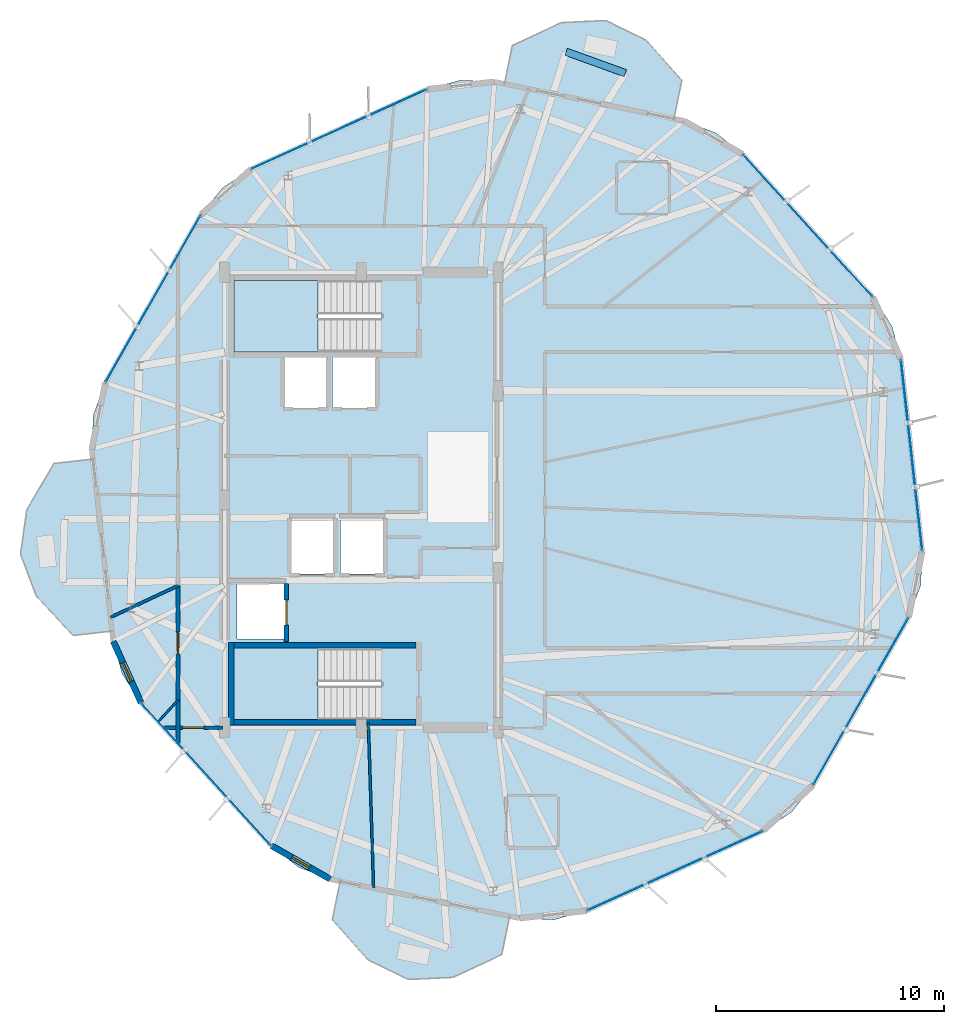
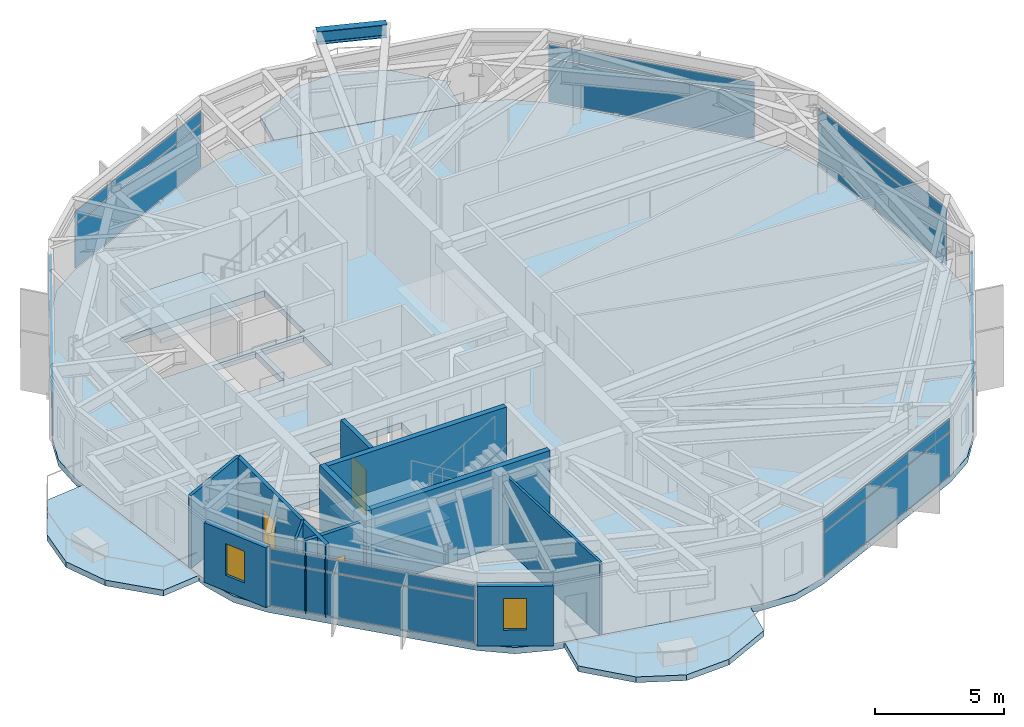
# One storey, part 16 of 23: 14 plates, 12 walls, 6 slabs, 3 doors, 2 windows, 1 beam, 5 openings, 9 elements without a shape of their own.
"""IFC4 building model written with IfcOpenShell, lengths in metres."""

from ifc_helpers import new_model, si_unit, direction, frame, frame_2d, origin, origin_2d, place, context, subcontext, project, spatial, polyline, rectangle, i_section, outline, extrude, material, layer, layer_set, material_profile, profile_set, type_object, element, fill, aggregate, save


model = new_model("IFC4")

# Units and contexts
model_context = context("Model", 3, precision=1e-05, world=origin(), true_north=direction((0.0, 1.0)))
body_context = subcontext(model_context, "Body", "Model", "MODEL_VIEW")
ifc_project = project(units=[si_unit("LENGTHUNIT", "METRE"), si_unit("AREAUNIT", "SQUARE_METRE"), si_unit("VOLUMEUNIT", "CUBIC_METRE"), si_unit("PLANEANGLEUNIT", "RADIAN"), si_unit("MASSUNIT", "GRAM", prefix="KILO")], contexts=[model_context])

# Site, building, storey
site_placement = place(None, origin())
site = spatial("IfcSite", under=ifc_project, at=site_placement, CompositionType="ELEMENT")
building_placement = place(site_placement, origin())
building = spatial("IfcBuilding", under=site, at=building_placement, Name="Soratama Intermodal Tower", CompositionType="ELEMENT")
storey_placement = place(building_placement, frame((0.0, 0.0, 257.5)))
storey = spatial("IfcBuildingStorey", under=building, at=storey_placement, Name="L65", CompositionType="ELEMENT", Elevation=257.5)

# Beam
ifc_material_1 = material(Name="Structural steel ASTM A992 Grade 50", Category="steel")
ifc_material_profile = material_profile(ifc_material_1, i_section(OverallWidth=0.324951171875, OverallDepth=0.615966796875, WebThickness=0.013916015625, FlangeThickness=0.021484375, FilletRadius=0.013916015625, at=origin_2d()), Name="W24X117")
ifc_profile_set = profile_set([ifc_material_profile], Name="Structural steel ASTM A992 Grade 50")
beam_type = type_object("IfcBeamType", Name="BM-CANT-W24X117", PredefinedType="BEAM", material=ifc_profile_set)
beam_placement = place(storey_placement, frame((50.196044921875, 43.7451171875, 3.14208984375), z_axis=(-0.940364211655, 0.340169295262, 0.0), x_axis=(-0.340169295262, -0.940364211655, 0.0)))
element("IfcBeam", 1, at=beam_placement, inside=storey, type_object=beam_type, Name="BM-L65-CBHDR-1", PredefinedType="BEAM", context=body_context, shape_type="SweptSolid", body=[
    extrude(i_section(OverallWidth=0.324951171875, OverallDepth=0.615966796875, WebThickness=0.013916015625, FlangeThickness=0.021484375, FilletRadius=0.013916015625, at=origin_2d()), origin(), (0.0, 0.0, 1.0), 2.76611328125),
])

# Curtain wall, plates
ifc_material_2 = material(Name="Double-glazed aluminium curtain wall", Category="aluminium")
ifc_layer_1 = layer(ifc_material_2, 0.159912109375)
ifc_layer_set_1 = layer_set([ifc_layer_1], Name="Double-glazed aluminium curtain wall")
curtain_wall_type = type_object("IfcCurtainWallType", Name="CW-SYS-5", PredefinedType="NOTDEFINED", material=ifc_layer_set_1)
curtain_wall_1_placement = place(storey_placement, origin())
curtain_wall_1 = element("IfcCurtainWall", 2, at=curtain_wall_1_placement, inside=storey, type_object=curtain_wall_type, Name="L65 Faceted Curtain Wall F02", PredefinedType="NOTDEFINED")
ifc_material_3 = material(Name="Low-E laminated double glazing", Category="glass")
ifc_layer_2 = layer(ifc_material_3, 0.02001953125)
ifc_layer_set_2 = layer_set([ifc_layer_2], Name="Low-E laminated double glazing")
plate_type = type_object("IfcPlateType", Name="PT-CWP-5", PredefinedType="CURTAIN_PANEL", material=ifc_layer_set_2)
plate_1_placement = place(storey_placement, frame((37.625244140625, 41.2880859375, 0.06005859375), z_axis=(0.0, 0.0, 1.0), x_axis=(-0.910972280346, -0.412467579868, 0.0)))
plate_1 = element("IfcPlate", 3, at=plate_1_placement, type_object=plate_type, Name="CW-5 panel 1.1", PredefinedType="CURTAIN_PANEL", context=body_context, shape_type="SweptSolid", body=[
    extrude(rectangle(XDim=8.3798828125, YDim=0.028076171875, at=origin_2d()), origin(), (0.0, 0.0, 1.0), 2.06005859375),
])
plate_2_placement = place(storey_placement, frame((37.625244140625, 41.2880859375, 2.18017578125), z_axis=(0.0, 0.0, 1.0), x_axis=(-0.910972280346, -0.412467579868, 0.0)))
plate_2 = element("IfcPlate", 4, at=plate_2_placement, type_object=plate_type, Name="CW-5 panel 1.2", PredefinedType="CURTAIN_PANEL", context=body_context, shape_type="SweptSolid", body=[
    extrude(rectangle(XDim=8.3798828125, YDim=0.028076171875, at=origin_2d()), origin(), (0.0, 0.0, 1.0), 0.589111328125),
])
aggregate(curtain_wall_1, [plate_1, plate_2])

curtain_wall_2_placement = place(storey_placement, origin())
curtain_wall_2 = element("IfcCurtainWall", 5, at=curtain_wall_2_placement, inside=storey, type_object=curtain_wall_type, Name="L65 Faceted Curtain Wall F03", PredefinedType="NOTDEFINED")
plate_3_placement = place(storey_placement, frame((29.459716796875, 33.842529296875, 0.06005859375), z_axis=(0.0, 0.0, 1.0), x_axis=(-0.494551831803, -0.869148137926, 0.0)))
plate_3 = element("IfcPlate", 6, at=plate_3_placement, type_object=plate_type, Name="CW-5 panel 1.1", PredefinedType="CURTAIN_PANEL", context=body_context, shape_type="SweptSolid", body=[
    extrude(rectangle(XDim=8.3798828125, YDim=0.028076171875, at=origin_2d()), origin(), (0.0, 0.0, 1.0), 2.06005859375),
])
plate_4_placement = place(storey_placement, frame((29.459716796875, 33.842529296875, 2.18017578125), z_axis=(0.0, 0.0, 1.0), x_axis=(-0.494551831803, -0.869148137926, 0.0)))
plate_4 = element("IfcPlate", 7, at=plate_4_placement, type_object=plate_type, Name="CW-5 panel 1.2", PredefinedType="CURTAIN_PANEL", context=body_context, shape_type="SweptSolid", body=[
    extrude(rectangle(XDim=8.3798828125, YDim=0.028076171875, at=origin_2d()), origin(), (0.0, 0.0, 1.0), 0.589111328125),
])
aggregate(curtain_wall_2, [plate_3, plate_4])

curtain_wall_3_placement = place(storey_placement, origin())
curtain_wall_3 = element("IfcCurtainWall", 8, at=curtain_wall_3_placement, inside=storey, type_object=curtain_wall_type, Name="L65 Faceted Curtain Wall F05", PredefinedType="NOTDEFINED")
plate_5_placement = place(storey_placement, frame((31.7880859375, 12.952880859375, 0.06005859375), z_axis=(0.0, 0.0, 1.0), x_axis=(0.673778798783, -0.73893310273, 0.0)))
plate_5 = element("IfcPlate", 9, at=plate_5_placement, type_object=plate_type, Name="CW-5 panel 1.1", PredefinedType="CURTAIN_PANEL", context=body_context, shape_type="SweptSolid", body=[
    extrude(rectangle(XDim=8.3798828125, YDim=0.028076171875, at=origin_2d()), origin(), (0.0, 0.0, 1.0), 2.06005859375),
])
plate_6_placement = place(storey_placement, frame((31.7880859375, 12.952880859375, 2.18017578125), z_axis=(0.0, 0.0, 1.0), x_axis=(0.673778798783, -0.73893310273, 0.0)))
plate_6 = element("IfcPlate", 10, at=plate_6_placement, type_object=plate_type, Name="CW-5 panel 1.2", PredefinedType="CURTAIN_PANEL", context=body_context, shape_type="SweptSolid", body=[
    extrude(rectangle(XDim=8.3798828125, YDim=0.028076171875, at=origin_2d()), origin(), (0.0, 0.0, 1.0), 0.589111328125),
])
aggregate(curtain_wall_3, [plate_5, plate_6])

curtain_wall_4_placement = place(storey_placement, origin())
curtain_wall_4 = element("IfcCurtainWall", 11, at=curtain_wall_4_placement, inside=storey, type_object=curtain_wall_type, Name="L65 Faceted Curtain Wall F07", PredefinedType="NOTDEFINED")
plate_7_placement = place(storey_placement, frame((52.374755859375, 8.7119140625, 0.06005859375), z_axis=(0.0, 0.0, 1.0), x_axis=(0.910972280346, 0.412467579868, 0.0)))
plate_7 = element("IfcPlate", 12, at=plate_7_placement, type_object=plate_type, Name="CW-5 panel 1.1", PredefinedType="CURTAIN_PANEL", context=body_context, shape_type="SweptSolid", body=[
    extrude(rectangle(XDim=8.3798828125, YDim=0.028076171875, at=origin_2d()), origin(), (0.0, 0.0, 1.0), 2.06005859375),
])
plate_8_placement = place(storey_placement, frame((52.374755859375, 8.7119140625, 2.18017578125), z_axis=(0.0, 0.0, 1.0), x_axis=(0.910972280346, 0.412467579868, 0.0)))
plate_8 = element("IfcPlate", 13, at=plate_8_placement, type_object=plate_type, Name="CW-5 panel 1.2", PredefinedType="CURTAIN_PANEL", context=body_context, shape_type="SweptSolid", body=[
    extrude(rectangle(XDim=8.3798828125, YDim=0.028076171875, at=origin_2d()), origin(), (0.0, 0.0, 1.0), 0.589111328125),
])
aggregate(curtain_wall_4, [plate_7, plate_8])

curtain_wall_5_placement = place(storey_placement, origin())
curtain_wall_5 = element("IfcCurtainWall", 14, at=curtain_wall_5_placement, inside=storey, type_object=curtain_wall_type, Name="L65 Faceted Curtain Wall F08", PredefinedType="NOTDEFINED")
plate_9_placement = place(storey_placement, frame((60.540283203125, 16.157470703125, 0.06005859375), z_axis=(0.0, 0.0, 1.0), x_axis=(0.494551831803, 0.869148137926, 0.0)))
plate_9 = element("IfcPlate", 15, at=plate_9_placement, type_object=plate_type, Name="CW-5 panel 1.1", PredefinedType="CURTAIN_PANEL", context=body_context, shape_type="SweptSolid", body=[
    extrude(rectangle(XDim=8.3798828125, YDim=0.028076171875, at=origin_2d()), origin(), (0.0, 0.0, 1.0), 2.06005859375),
])
plate_10_placement = place(storey_placement, frame((60.540283203125, 16.157470703125, 2.18017578125), z_axis=(0.0, 0.0, 1.0), x_axis=(0.494551831803, 0.869148137926, 0.0)))
plate_10 = element("IfcPlate", 16, at=plate_10_placement, type_object=plate_type, Name="CW-5 panel 1.2", PredefinedType="CURTAIN_PANEL", context=body_context, shape_type="SweptSolid", body=[
    extrude(rectangle(XDim=8.3798828125, YDim=0.028076171875, at=origin_2d()), origin(), (0.0, 0.0, 1.0), 0.589111328125),
])
aggregate(curtain_wall_5, [plate_9, plate_10])

curtain_wall_6_placement = place(storey_placement, origin())
curtain_wall_6 = element("IfcCurtainWall", 17, at=curtain_wall_6_placement, inside=storey, type_object=curtain_wall_type, Name="L65 Faceted Curtain Wall F09", PredefinedType="NOTDEFINED")
plate_11_placement = place(storey_placement, frame((62.769775390625, 26.980712890625, 0.06005859375), z_axis=(0.0, 0.0, 1.0), x_axis=(-0.110778872636, 0.993845079163, 0.0)))
plate_11 = element("IfcPlate", 18, at=plate_11_placement, type_object=plate_type, Name="CW-5 panel 1.1", PredefinedType="CURTAIN_PANEL", context=body_context, shape_type="SweptSolid", body=[
    extrude(rectangle(XDim=8.3798828125, YDim=0.028076171875, at=origin_2d()), origin(), (0.0, 0.0, 1.0), 2.06005859375),
])
plate_12_placement = place(storey_placement, frame((62.769775390625, 26.980712890625, 2.18017578125), z_axis=(0.0, 0.0, 1.0), x_axis=(-0.110778872636, 0.993845079163, 0.0)))
plate_12 = element("IfcPlate", 19, at=plate_12_placement, type_object=plate_type, Name="CW-5 panel 1.2", PredefinedType="CURTAIN_PANEL", context=body_context, shape_type="SweptSolid", body=[
    extrude(rectangle(XDim=8.3798828125, YDim=0.028076171875, at=origin_2d()), origin(), (0.0, 0.0, 1.0), 0.589111328125),
])
aggregate(curtain_wall_6, [plate_11, plate_12])

curtain_wall_7_placement = place(storey_placement, origin())
curtain_wall_7 = element("IfcCurtainWall", 20, at=curtain_wall_7_placement, inside=storey, type_object=curtain_wall_type, Name="L65 Faceted Curtain Wall F10", PredefinedType="NOTDEFINED")
plate_13_placement = place(storey_placement, frame((58.2119140625, 37.047119140625, 0.06005859375), z_axis=(0.0, 0.0, 1.0), x_axis=(-0.673778798783, 0.73893310273, 0.0)))
plate_13 = element("IfcPlate", 21, at=plate_13_placement, type_object=plate_type, Name="CW-5 panel 1.1", PredefinedType="CURTAIN_PANEL", context=body_context, shape_type="SweptSolid", body=[
    extrude(rectangle(XDim=8.3798828125, YDim=0.028076171875, at=origin_2d()), origin(), (0.0, 0.0, 1.0), 2.06005859375),
])
plate_14_placement = place(storey_placement, frame((58.2119140625, 37.047119140625, 2.18017578125), z_axis=(0.0, 0.0, 1.0), x_axis=(-0.673778798783, 0.73893310273, 0.0)))
plate_14 = element("IfcPlate", 22, at=plate_14_placement, type_object=plate_type, Name="CW-5 panel 1.2", PredefinedType="CURTAIN_PANEL", context=body_context, shape_type="SweptSolid", body=[
    extrude(rectangle(XDim=8.3798828125, YDim=0.028076171875, at=origin_2d()), origin(), (0.0, 0.0, 1.0), 0.589111328125),
])
aggregate(curtain_wall_7, [plate_13, plate_14])

# Slabs
ifc_material_4 = material(Name="Concrete f'c 42 MPa", Category="concrete")
ifc_layer_3 = layer(ifc_material_4, 0.27001953125)
ifc_layer_set_3 = layer_set([ifc_layer_3], Name="Concrete f'c 42 MPa")
slab_type_1 = type_object("IfcSlabType", Name="SL-EXT-BAL1", PredefinedType="FLOOR", material=ifc_layer_set_3)
slab_1_placement = place(storey_placement, frame((0.0, 0.0, -0.27001953125)))
element("IfcSlab", 23, at=slab_1_placement, inside=storey, type_object=slab_type_1, Name="L65 Planted Balcony North 1", PredefinedType="FLOOR", context=body_context, shape_type="SweptSolid", body=[
    extrude(outline(polyline([(52.329345703125, 41.74560546875), (44.8857421875, 43.27880859375), (45.23291015625, 44.96337890625), (47.379150390625, 45.96630859375), (49.337890625, 46.0576171875), (51.100830078125, 45.199462890625), (52.67626953125, 43.43017578125), (52.329345703125, 41.74560546875)])), origin(), (0.0, 0.0, 1.0), 0.27001953125),
])
slab_2_placement = place(storey_placement, frame((0.0, 0.0, -0.27001953125)))
element("IfcSlab", 24, at=slab_2_placement, inside=storey, type_object=slab_type_1, Name="L65 Planted Balcony West 2", PredefinedType="FLOOR", context=body_context, shape_type="SweptSolid", body=[
    extrude(outline(polyline([(26.809326171875, 26.7958984375), (27.651123046875, 19.242919921875), (25.941650390625, 19.05224609375), (24.32470703125, 20.78369140625), (23.632568359375, 22.618408203125), (23.90380859375, 24.560302734375), (25.099853515625, 26.605224609375), (26.809326171875, 26.7958984375)])), origin(), (0.0, 0.0, 1.0), 0.27001953125),
])
slab_3_placement = place(storey_placement, frame((0.0, 0.0, -0.27001953125)))
element("IfcSlab", 25, at=slab_3_placement, inside=storey, type_object=slab_type_1, Name="L65 Planted Balcony South 3", PredefinedType="FLOOR", context=body_context, shape_type="SweptSolid", body=[
    extrude(outline(polyline([(37.670654296875, 8.25439453125), (45.1142578125, 6.72119140625), (44.76708984375, 5.03662109375), (42.620849609375, 4.03369140625), (40.662109375, 3.9423828125), (38.899169921875, 4.800537109375), (37.32373046875, 6.56982421875), (37.670654296875, 8.25439453125)])), origin(), (0.0, 0.0, 1.0), 0.27001953125),
])

# Stair, slab
ifc_material_5 = material(Name="Concrete f'c 42 MPa", Category="concrete")
stair_type = type_object("IfcStairType", Name="ST-CORE-DOGLEG", PredefinedType="HALF_TURN_STAIR", material=ifc_material_5)
stair_1_placement = place(storey_placement, origin())
stair_1 = element("IfcStair", 26, at=stair_1_placement, inside=storey, type_object=stair_type, Name="L65 ST-1", PredefinedType="HALF_TURN_STAIR")
ifc_material_6 = material(Name="Concrete f'c 42 MPa", Category="concrete")
ifc_layer_4 = layer(ifc_material_6, 0.219970703125)
ifc_layer_set_4 = layer_set([ifc_layer_4], Name="Concrete f'c 42 MPa")
slab_type_2 = type_object("IfcSlabType", Name="SL-STAIR-LAND", PredefinedType="LANDING", material=ifc_layer_set_4)
slab_4_placement = place(storey_placement, frame((0.0, 0.0, 1.675048828125)))
slab_4 = element("IfcSlab", 27, at=slab_4_placement, type_object=slab_type_2, Name="ST-1 landing 1", PredefinedType="LANDING", context=body_context, shape_type="SweptSolid", body=[
    extrude(outline(polyline([(36.699951171875, 18.5), (33.0, 18.5), (33.0, 15.35009765625), (36.699951171875, 15.35009765625), (36.699951171875, 18.5)])), origin(), (0.0, 0.0, 1.0), 0.199951171875),
])
aggregate(stair_1, [slab_4])

stair_2_placement = place(storey_placement, origin())
stair_2 = element("IfcStair", 28, at=stair_2_placement, inside=storey, type_object=stair_type, Name="L65 ST-2", PredefinedType="HALF_TURN_STAIR")
slab_5_placement = place(storey_placement, frame((0.0, 0.0, 1.675048828125)))
slab_5 = element("IfcSlab", 29, at=slab_5_placement, type_object=slab_type_2, Name="ST-2 landing 1", PredefinedType="LANDING", context=body_context, shape_type="SweptSolid", body=[
    extrude(outline(polyline([(36.699951171875, 34.64990234375), (33.0, 34.64990234375), (33.0, 31.5), (36.699951171875, 31.5), (36.699951171875, 34.64990234375)])), origin(), (0.0, 0.0, 1.0), 0.199951171875),
])
aggregate(stair_2, [slab_5])

# Slab
ifc_material_7 = material(Name="Concrete f'c 42 MPa", Category="concrete")
ifc_layer_5 = layer(ifc_material_7, 0.280029296875)
ifc_layer_set_5 = layer_set([ifc_layer_5], Name="Concrete f'c 42 MPa")
slab_type_3 = type_object("IfcSlabType", Name="SL-TWR-280", PredefinedType="FLOOR", material=ifc_layer_set_5)
slab_6_placement = place(storey_placement, frame((0.0, 0.0, -0.300048828125)))
element("IfcSlab", 30, at=slab_6_placement, inside=storey, type_object=slab_type_3, Name="L65 Structural Floor Slab", PredefinedType="FLOOR", context=body_context, shape_type="SweptSolid", body=[
    extrude(outline(polyline([(55.348388671875, 40.1875), (54.17529296875, 41.125244140625), (52.77001953125, 41.65478515625), (44.445068359375, 43.36962890625), (42.94482421875, 43.438720703125), (41.49658203125, 43.041015625), (33.753662109375, 39.53515625), (32.499267578125, 38.709228515625), (31.5615234375, 37.536376953125), (27.35791015625, 30.148681640625), (26.82861328125, 28.743408203125), (26.759521484375, 27.2431640625), (27.700927734375, 18.795654296875), (28.098876953125, 17.347412109375), (28.924560546875, 16.09326171875), (34.651611328125, 9.8125), (35.82470703125, 8.874755859375), (37.22998046875, 8.34521484375), (45.554931640625, 6.63037109375), (47.05517578125, 6.561279296875), (48.50341796875, 6.958984375), (56.246337890625, 10.46484375), (57.500732421875, 11.290771484375), (58.4384765625, 12.463623046875), (62.64208984375, 19.851318359375), (63.17138671875, 21.256591796875), (63.240478515625, 22.7568359375), (62.299072265625, 31.204345703125), (61.901123046875, 32.652587890625), (61.075439453125, 33.90673828125), (55.348388671875, 40.1875)]), holes=[polyline([(33.0, 15.35009765625), (39.47509765625, 15.35009765625), (39.47509765625, 18.5), (33.0, 18.5), (33.0, 15.35009765625)]), polyline([(35.260009765625, 21.409912109375), (33.139892578125, 21.409912109375), (33.139892578125, 18.889892578125), (35.260009765625, 18.889892578125), (35.260009765625, 21.409912109375)]), polyline([(37.409912109375, 24.260009765625), (35.489990234375, 24.260009765625), (35.489990234375, 21.739990234375), (37.409912109375, 21.739990234375), (37.409912109375, 24.260009765625)]), polyline([(39.610107421875, 24.260009765625), (37.68994140625, 24.260009765625), (37.68994140625, 21.739990234375), (39.610107421875, 21.739990234375), (39.610107421875, 24.260009765625)]), polyline([(37.110107421875, 31.260009765625), (35.18994140625, 31.260009765625), (35.18994140625, 29.0400390625), (37.110107421875, 29.0400390625), (37.110107421875, 31.260009765625)]), polyline([(39.260009765625, 31.260009765625), (37.340087890625, 31.260009765625), (37.340087890625, 29.0400390625), (39.260009765625, 29.0400390625), (39.260009765625, 31.260009765625)]), polyline([(33.0, 34.64990234375), (33.0, 31.5), (39.47509765625, 31.5), (39.47509765625, 34.64990234375), (33.0, 34.64990234375)])]), origin(), (0.0, 0.0, 1.0), 0.300048828125),
])

# Wall, opening, window
ifc_material_8 = material(Name="Concrete f'c 42 MPa", Category="concrete")
ifc_layer_6 = layer(ifc_material_8, 0.27001953125)
ifc_layer_set_6 = layer_set([ifc_layer_6], Name="Concrete f'c 42 MPa")
wall_type_1 = type_object("IfcWallType", Name="EW-CRN-270", PredefinedType="SOLIDWALL", material=ifc_layer_set_6)
wall_1_placement = place(storey_placement, frame((27.700927734375, 18.795654296875, 0.0), z_axis=(0.0, 0.0, 1.0), x_axis=(0.412481781571, -0.910965850003, 0.0)))
wall_1 = element("IfcWall", 31, at=wall_1_placement, inside=storey, type_object=wall_type_1, Name="L65 Corner Closure Wall 04", PredefinedType="SOLIDWALL", context=body_context, shape_type="SweptSolid", body=[
    extrude(rectangle(XDim=2.966552734375, YDim=0.27001953125, at=frame_2d((1.4833984375, 0.0))), origin(), (0.0, 0.0, 1.0), 2.8291015625),
])
opening_1_placement = place(wall_1_placement, frame((1.033203125, 0.0, 0.75)))
opening_1 = element("IfcOpeningElement", 32, at=opening_1_placement, cuts=wall_1, Name="Opening WN-6", PredefinedType="OPENING", context=body_context, shape_type="SweptSolid", body=[
    extrude(rectangle(XDim=0.89990234375, YDim=1.5, at=frame_2d((0.449951171875, 0.75))), frame((0.0, 0.14501953125, 0.0), z_axis=(0.0, -1.0, 0.0), x_axis=(1.0, 0.0, 0.0)), (0.0, 0.0, 1.0), 0.2900390625),
])
ifc_material_9 = material(Name="Double-glazed aluminium window", Category="aluminium")
window_type = type_object("IfcWindowType", Name="WN-FAC-900", PartitioningType="SINGLE_PANEL", PredefinedType="WINDOW", material=ifc_material_9)
window_1_placement = place(opening_1_placement, origin())
window_1 = element("IfcWindow", 33, at=window_1_placement, inside=storey, type_object=window_type, Name="L65 Corner Window 04", OverallHeight=1.5, OverallWidth=0.89990234375, PartitioningType="SINGLE_PANEL", PredefinedType="WINDOW", context=body_context, shape_type="SweptSolid", body=[
    extrude(rectangle(XDim=0.89990234375, YDim=1.5, at=frame_2d((0.449951171875, 0.75))), frame((0.0, 0.030029296875, 0.0), z_axis=(0.0, -1.0, 0.0), x_axis=(1.0, 0.0, 0.0)), (0.0, 0.0, 1.0), 0.06005859375),
])
fill(opening_1, window_1)

wall_2_placement = place(storey_placement, frame((34.651611328125, 9.8125, 0.0), z_axis=(0.0, 0.0, 1.0), x_axis=(0.869122967752, -0.494596064406, 0.0)))
wall_2 = element("IfcWall", 34, at=wall_2_placement, inside=storey, type_object=wall_type_1, Name="L65 Corner Closure Wall 05", PredefinedType="SOLIDWALL", context=body_context, shape_type="SweptSolid", body=[
    extrude(rectangle(XDim=2.966552734375, YDim=0.27001953125, at=frame_2d((1.4833984375, 0.0))), origin(), (0.0, 0.0, 1.0), 2.8291015625),
])
opening_2_placement = place(wall_2_placement, frame((1.033203125, 0.0, 0.75)))
opening_2 = element("IfcOpeningElement", 35, at=opening_2_placement, cuts=wall_2, Name="Opening WN-6", PredefinedType="OPENING", context=body_context, shape_type="SweptSolid", body=[
    extrude(rectangle(XDim=0.89990234375, YDim=1.5, at=frame_2d((0.449951171875, 0.75))), frame((0.0, 0.14501953125, 0.0), z_axis=(0.0, -1.0, 0.0), x_axis=(1.0, 0.0, 0.0)), (0.0, 0.0, 1.0), 0.2900390625),
])
window_2_placement = place(opening_2_placement, origin())
window_2 = element("IfcWindow", 36, at=window_2_placement, inside=storey, type_object=window_type, Name="L65 Corner Window 05", OverallHeight=1.5, OverallWidth=0.89990234375, PartitioningType="SINGLE_PANEL", PredefinedType="WINDOW", context=body_context, shape_type="SweptSolid", body=[
    extrude(rectangle(XDim=0.89990234375, YDim=1.5, at=frame_2d((0.449951171875, 0.75))), frame((0.0, 0.030029296875, 0.0), z_axis=(0.0, -1.0, 0.0), x_axis=(1.0, 0.0, 0.0)), (0.0, 0.0, 1.0), 0.06005859375),
])
fill(opening_2, window_2)

# Wall, opening, door
ifc_material_10 = material(Name="Fire-rated gypsum stud partition", Category="concrete")
ifc_layer_7 = layer(ifc_material_10, 0.159912109375)
ifc_layer_set_7 = layer_set([ifc_layer_7], Name="Fire-rated gypsum stud partition")
wall_type_2 = type_object("IfcWallType", Name="IW-PART-R160", PredefinedType="PARTITIONING", material=ifc_layer_set_7)
wall_3_placement = place(storey_placement, frame((30.550048828125, 16.2099609375, 0.0), z_axis=(0.0, 0.0, 1.0), x_axis=(0.0, 1.0, 0.0)))
wall_3 = element("IfcWall", 37, at=wall_3_placement, inside=storey, type_object=wall_type_2, Name="L65 Partition W-L65-TP017", PredefinedType="PARTITIONING", context=body_context, shape_type="SweptSolid", body=[
    extrude(rectangle(XDim=5.02392578125, YDim=0.159912109375, at=frame_2d((2.511962890625, 0.0))), origin(), (0.0, 0.0, 1.0), 3.449951171875),
])
opening_3_placement = place(wall_3_placement, frame((2.037109375, 0.0, 0.0)))
opening_3 = element("IfcOpeningElement", 38, at=opening_3_placement, cuts=wall_3, Name="Opening ID-3", PredefinedType="OPENING", context=body_context, shape_type="SweptSolid", body=[
    extrude(rectangle(XDim=0.949951171875, YDim=2.14990234375, at=frame_2d((0.47509765625, 1.074951171875))), frame((0.0, 0.08984375, 0.0), z_axis=(0.0, -1.0, 0.0), x_axis=(1.0, 0.0, 0.0)), (0.0, 0.0, 1.0), 0.179931640625),
])
ifc_material_11 = material(Name="Solid hardwood acoustic door", Category="wood")
door_type_1 = type_object("IfcDoorType", Name="DR-ROOM-950", OperationType="NOTDEFINED", PredefinedType="DOOR", material=ifc_material_11)
door_1_placement = place(opening_3_placement, origin())
door_1 = element("IfcDoor", 39, at=door_1_placement, inside=storey, type_object=door_type_1, Name="L65 Door D-L65-TP009", OperationType="SINGLE_SWING_RIGHT", OverallHeight=2.14990234375, OverallWidth=0.949951171875, PredefinedType="DOOR", context=body_context, shape_type="SweptSolid", body=[
    extrude(rectangle(XDim=0.949951171875, YDim=2.14990234375, at=frame_2d((0.47509765625, 1.074951171875))), frame((0.0, 0.02490234375, 0.0), z_axis=(0.0, -1.0, 0.0), x_axis=(1.0, 0.0, 0.0)), (0.0, 0.0, 1.0), 0.050048828125),
])
fill(opening_3, door_1)

wall_4_placement = place(storey_placement, frame((32.530029296875, 15.0, 0.0), z_axis=(0.0, 0.0, 1.0), x_axis=(-1.0, 0.0, 0.0)))
wall_4 = element("IfcWall", 40, at=wall_4_placement, inside=storey, type_object=wall_type_2, Name="L65 Partition W-L65-TP028", PredefinedType="PARTITIONING", context=body_context, shape_type="SweptSolid", body=[
    extrude(rectangle(XDim=2.609130859375, YDim=0.159912109375, at=frame_2d((1.3046875, 0.0))), origin(), (0.0, 0.0, 1.0), 3.449951171875),
])
opening_4_placement = place(wall_4_placement, frame((0.830078125, 0.0, 0.0)))
opening_4 = element("IfcOpeningElement", 41, at=opening_4_placement, cuts=wall_4, Name="Opening ID-3", PredefinedType="OPENING", context=body_context, shape_type="SweptSolid", body=[
    extrude(rectangle(XDim=0.949951171875, YDim=2.14990234375, at=frame_2d((0.47509765625, 1.074951171875))), frame((0.0, 0.08984375, 0.0), z_axis=(0.0, -1.0, 0.0), x_axis=(1.0, 0.0, 0.0)), (0.0, 0.0, 1.0), 0.179931640625),
])
door_2_placement = place(opening_4_placement, origin())
door_2 = element("IfcDoor", 42, at=door_2_placement, inside=storey, type_object=door_type_1, Name="L65 Door D-L65-TP015", OperationType="SINGLE_SWING_RIGHT", OverallHeight=2.14990234375, OverallWidth=0.949951171875, PredefinedType="DOOR", context=body_context, shape_type="SweptSolid", body=[
    extrude(rectangle(XDim=0.949951171875, YDim=2.14990234375, at=frame_2d((0.47509765625, 1.074951171875))), frame((0.0, 0.02490234375, 0.0), z_axis=(0.0, -1.0, 0.0), x_axis=(1.0, 0.0, 0.0)), (0.0, 0.0, 1.0), 0.050048828125),
])
fill(opening_4, door_2)

# Walls
wall_5_placement = place(storey_placement, frame((30.550048828125, 14.31103515625, 0.0), z_axis=(0.0, 0.0, 1.0), x_axis=(0.0, 1.0, 0.0)))
element("IfcWall", 43, at=wall_5_placement, inside=storey, type_object=wall_type_2, Name="L65 Partition W-L65-TP042", PredefinedType="PARTITIONING", context=body_context, shape_type="SweptSolid", body=[
    extrude(rectangle(XDim=1.89892578125, YDim=0.159912109375, at=frame_2d((0.949462890625, 0.0))), origin(), (0.0, 0.0, 1.0), 3.449951171875),
])
ifc_material_12 = material(Name="Fire-rated gypsum stud partition", Category="concrete")
ifc_layer_8 = layer(ifc_material_12, 0.10009765625)
ifc_layer_set_8 = layer_set([ifc_layer_8], Name="Fire-rated gypsum stud partition")
wall_type_3 = type_object("IfcWallType", Name="IW-PART-S100", PredefinedType="PARTITIONING", material=ifc_layer_set_8)
wall_6_placement = place(storey_placement, frame((30.550048828125, 16.2099609375, 0.0), z_axis=(0.0, 0.0, 1.0), x_axis=(-0.675750443643, -0.737130475504, 0.0)))
element("IfcWall", 44, at=wall_6_placement, inside=storey, type_object=wall_type_3, Name="L65 Partition W-L65-TP048", PredefinedType="PARTITIONING", context=body_context, shape_type="SweptSolid", body=[
    extrude(rectangle(XDim=1.28466796875, YDim=0.10009765625, at=frame_2d((0.642333984375, 0.0))), origin(), (0.0, 0.0, 1.0), 3.449951171875),
])
ifc_material_13 = material(Name="Fire-rated gypsum stud partition", Category="concrete")
ifc_layer_9 = layer(ifc_material_13, 0.110107421875)
ifc_layer_set_9 = layer_set([ifc_layer_9], Name="Fire-rated gypsum stud partition")
wall_type_4 = type_object("IfcWallType", Name="IW-PART-S110", PredefinedType="PARTITIONING", material=ifc_layer_set_9)
wall_7_placement = place(storey_placement, frame((38.907958984375, 15.22998046875, 0.0), z_axis=(0.0, 0.0, 1.0), x_axis=(0.03158331011, -0.999501122822, 0.0)))
element("IfcWall", 45, at=wall_7_placement, inside=storey, type_object=wall_type_4, Name="L65 Partition W-L65-TP012", PredefinedType="PARTITIONING", context=body_context, shape_type="SweptSolid", body=[
    extrude(rectangle(XDim=7.28173828125, YDim=0.110107421875, at=frame_2d((3.640869140625, 0.0))), origin(), (0.0, 0.0, 1.0), 3.449951171875),
])
ifc_material_14 = material(Name="Fire-rated gypsum stud partition", Category="concrete")
ifc_layer_10 = layer(ifc_material_14, 0.1298828125)
ifc_layer_set_10 = layer_set([ifc_layer_10], Name="Fire-rated gypsum stud partition")
wall_type_5 = type_object("IfcWallType", Name="IW-PART-S130", PredefinedType="PARTITIONING", material=ifc_layer_set_10)
wall_8_placement = place(storey_placement, frame((30.550048828125, 21.23388671875, 0.0), z_axis=(0.0, 0.0, 1.0), x_axis=(-0.905740770893, -0.423832108201, 0.0)))
element("IfcWall", 46, at=wall_8_placement, inside=storey, type_object=wall_type_5, Name="L65 Partition W-L65-TP025", PredefinedType="PARTITIONING", context=body_context, shape_type="SweptSolid", body=[
    extrude(rectangle(XDim=3.274658203125, YDim=0.1298828125, at=frame_2d((1.63720703125, 0.0))), origin(), (0.0, 0.0, 1.0), 3.449951171875),
])

# Wall, opening, door
ifc_material_15 = material(Name="Concrete f'c 42 MPa", Category="concrete")
ifc_layer_11 = layer(ifc_material_15, 0.18505859375)
ifc_layer_set_11 = layer_set([ifc_layer_11], Name="Concrete f'c 42 MPa")
wall_type_6 = type_object("IfcWallType", Name="IW-SHAFT-185", PredefinedType="SOLIDWALL", material=ifc_layer_set_11)
wall_9_placement = place(storey_placement, frame((35.300048828125, 18.7900390625, 0.0), z_axis=(0.0, 0.0, 1.0), x_axis=(0.0, 1.0, 0.0)))
wall_9 = element("IfcWall", 47, at=wall_9_placement, inside=storey, type_object=wall_type_6, Name="L65 SVL-1 Hoistway Wall E", PredefinedType="SOLIDWALL", context=body_context, shape_type="SweptSolid", body=[
    extrude(rectangle(XDim=2.550048828125, YDim=0.18505859375, at=frame_2d((1.27490234375, 0.0))), origin(), (0.0, 0.0, 1.0), 3.449951171875),
])
opening_5_placement = place(wall_9_placement, frame((0.72509765625, 0.0, 0.0)))
opening_5 = element("IfcOpeningElement", 48, at=opening_5_placement, cuts=wall_9, Name="Opening LD-1", PredefinedType="OPENING", context=body_context, shape_type="SweptSolid", body=[
    extrude(rectangle(XDim=1.10009765625, YDim=2.14990234375, at=frame_2d((0.550048828125, 1.074951171875))), frame((0.0, 0.1025390625, 0.0), z_axis=(0.0, -1.0, 0.0), x_axis=(1.0, 0.0, 0.0)), (0.0, 0.0, 1.0), 0.205078125),
])
ifc_material_16 = material(Name="Steel fire door", Category="steel")
door_type_2 = type_object("IfcDoorType", Name="DR-LIFT-SLIDE", OperationType="NOTDEFINED", PredefinedType="DOOR", material=ifc_material_16)
door_3_placement = place(opening_5_placement, origin())
door_3 = element("IfcDoor", 49, at=door_3_placement, inside=storey, type_object=door_type_2, Name="L65 SVL-1 Sliding Landing Door", OperationType="SLIDING_TO_LEFT", OverallHeight=2.14990234375, OverallWidth=1.10009765625, PredefinedType="DOOR", context=body_context, shape_type="SweptSolid", body=[
    extrude(rectangle(XDim=1.10009765625, YDim=2.14990234375, at=frame_2d((0.550048828125, 1.074951171875))), frame((0.0, 0.02490234375, 0.0), z_axis=(0.0, -1.0, 0.0), x_axis=(1.0, 0.0, 0.0)), (0.0, 0.0, 1.0), 0.050048828125),
])
fill(opening_5, door_3)

# Walls
ifc_material_17 = material(Name="Concrete f'c 56 MPa", Category="concrete")
ifc_layer_12 = layer(ifc_material_17, 0.239990234375)
ifc_layer_set_12 = layer_set([ifc_layer_12], Name="Concrete f'c 56 MPa")
wall_type_7 = type_object("IfcWallType", Name="SW-STAIR-240", PredefinedType="SHEAR", material=ifc_layer_set_12)
wall_10_placement = place(storey_placement, frame((32.8798828125, 15.110107421875, 0.0), z_axis=(0.0, 0.0, 1.0), x_axis=(0.0, 1.0, 0.0)))
element("IfcWall", 50, at=wall_10_placement, inside=storey, type_object=wall_type_7, Name="L65 ST-1 Shaft Shear Wall W", PredefinedType="SHEAR", context=body_context, shape_type="SweptSolid", body=[
    extrude(rectangle(XDim=3.6298828125, YDim=0.239990234375, at=frame_2d((1.81494140625, 0.0))), origin(), (0.0, 0.0, 1.0), 3.75),
])
for number, where, z_axis, x_axis, name in (
    (51, (33.0, 15.22998046875, 0.0), (0.0, 0.0, 1.0), (1.0, 0.0, 0.0), "L65 ST-1 Shaft Shear Wall S"),
    (52, (33.0, 18.6201171875, 0.0), (0.0, 0.0, 1.0), (1.0, 0.0, 0.0), "L65 ST-1 Shaft Shear Wall N"),
):
    element("IfcWall", number, at=place(storey_placement, frame(where, z_axis=z_axis, x_axis=x_axis)), inside=storey, type_object=wall_type_7, Name=name, PredefinedType="SHEAR", context=body_context, shape_type="SweptSolid", body=[
        extrude(rectangle(XDim=8.0, YDim=0.239990234375, at=frame_2d((4.0, 0.0))), origin(), (0.0, 0.0, 1.0), 3.75),
    ])

save(model, "model.ifc")
